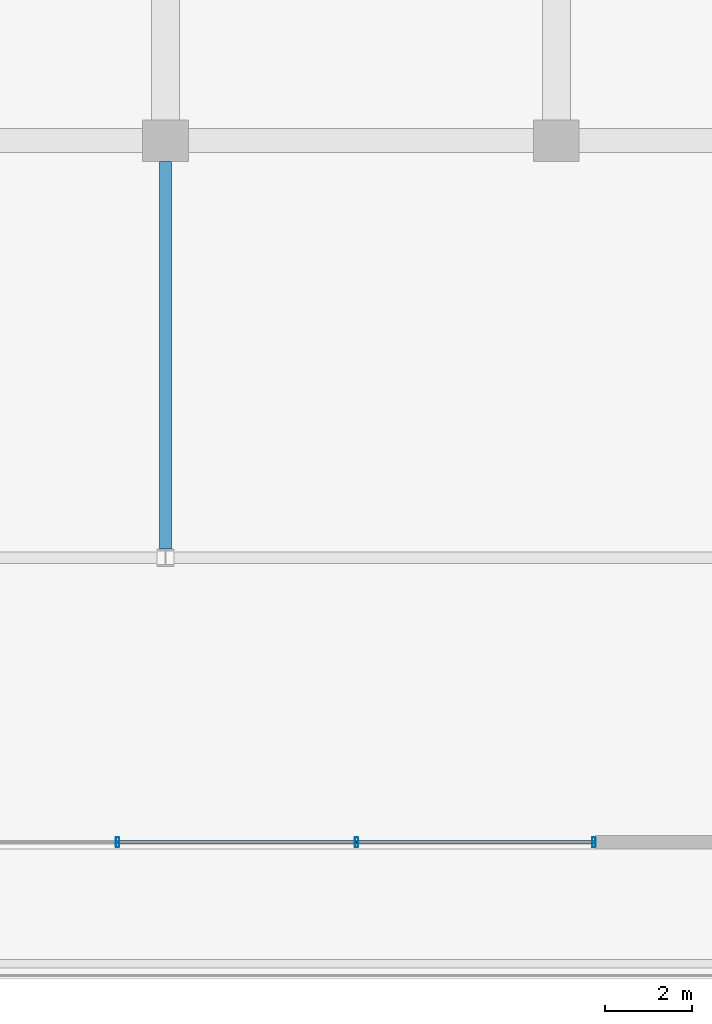
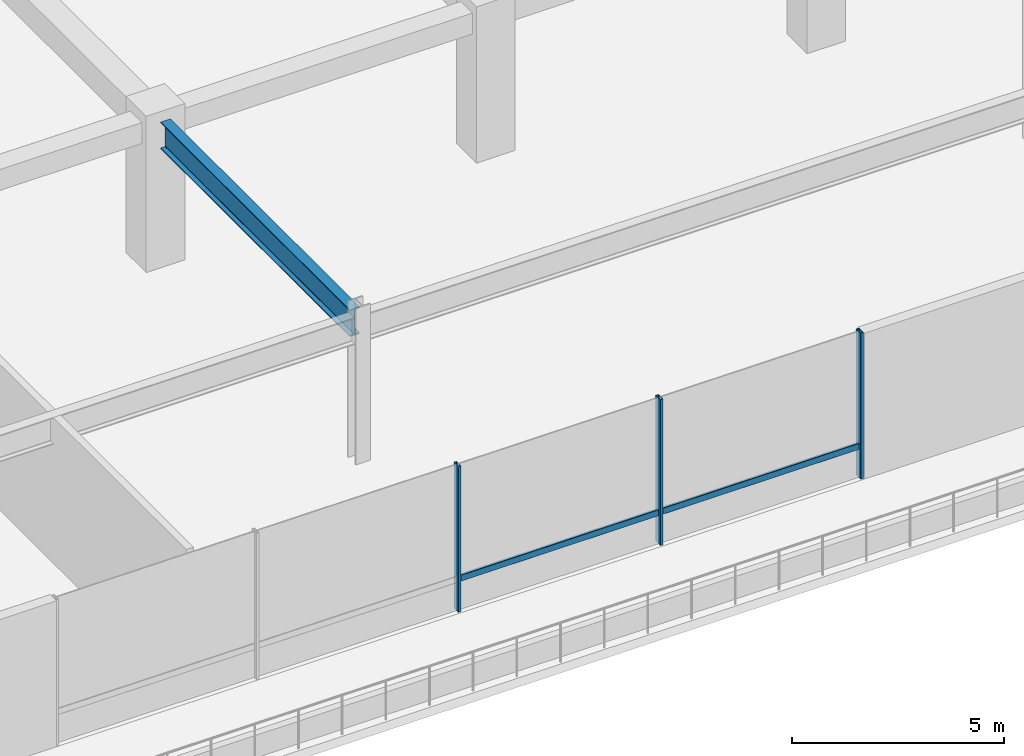
# One storey, part 9 of 43: 5 members, 1 beam, 1 element without a shape of its own.
"""IFC4 building model written with IfcOpenShell, lengths in metres."""

from ifc_helpers import new_model, si_unit, direction, frame, origin, origin_2d, place, context, subcontext, project, spatial, hollow_rectangle, i_section, extrude, material, layer, layer_set, material_profile, profile_set, type_object, element, aggregate, save


model = new_model("IFC4")

# Units and contexts
model_context = context("Model", 3, precision=1e-05, world=origin(), true_north=direction((0.0, 1.0)))
body_context = subcontext(model_context, "Body", "Model", "MODEL_VIEW")
ifc_project = project(units=[si_unit("LENGTHUNIT", "METRE"), si_unit("AREAUNIT", "SQUARE_METRE"), si_unit("VOLUMEUNIT", "CUBIC_METRE"), si_unit("PLANEANGLEUNIT", "RADIAN"), si_unit("MASSUNIT", "GRAM", prefix="KILO")], contexts=[model_context])

# Site, building, storey
site_placement = place(None, origin())
site = spatial("IfcSite", under=ifc_project, at=site_placement, CompositionType="ELEMENT")
building_placement = place(site_placement, origin())
building = spatial("IfcBuilding", under=site, at=building_placement, Name="Korimba Cascade Residences", CompositionType="ELEMENT")
storey_placement = place(building_placement, frame((0.0, 0.0, 10.0)))
storey = spatial("IfcBuildingStorey", under=building, at=storey_placement, Name="L02", CompositionType="ELEMENT", Elevation=10.0)

# Beam
ifc_material_1 = material(Name="Steel S355", Category="steel")
ifc_material_profile_1 = material_profile(ifc_material_1, i_section(OverallWidth=0.26806640625, OverallDepth=0.769775390625, WebThickness=0.015625, FlangeThickness=0.025390625, FilletRadius=0.0166015625, at=origin_2d()), Name="Steel S355")
ifc_profile_set_1 = profile_set([ifc_material_profile_1], Name="Steel S355")
beam_type = type_object("IfcBeamType", Name="BM-STL-UB762", PredefinedType="BEAM", material=ifc_profile_set_1)
beam_placement = place(storey_placement, frame((100.10009765625, -13.603271484375, 3.815185546875), z_axis=(0.0, 1.0, 0.0), x_axis=(-1.0, 0.0, 0.0)))
element("IfcBeam", 1, at=beam_placement, inside=storey, type_object=beam_type, Name="L02 Podium Frame Girder S2", PredefinedType="BEAM", context=body_context, shape_type="SweptSolid", body=[
    extrude(i_section(OverallWidth=0.26806640625, OverallDepth=0.769775390625, WebThickness=0.015625, FlangeThickness=0.025390625, FilletRadius=0.0166015625, at=origin_2d()), origin(), (0.0, 0.0, 1.0), 8.92822265625),
])

# Curtain wall, members
ifc_material_2 = material(Name="Anodised Aluminium Curtain Wall Framing", Category="aluminium")
ifc_layer = layer(ifc_material_2, 0.179931640625)
ifc_layer_set = layer_set([ifc_layer], Name="Anodised Aluminium Curtain Wall Framing")
curtain_wall_type = type_object("IfcCurtainWallType", Name="CW-POD-SYS1", PredefinedType="NOTDEFINED", material=ifc_layer_set)
curtain_wall_placement = place(storey_placement, origin())
curtain_wall = element("IfcCurtainWall", 2, at=curtain_wall_placement, inside=storey, type_object=curtain_wall_type, Name="L02 Curtain Wall CW-L02-POD-S", PredefinedType="NOTDEFINED")
ifc_material_3 = material(Name="Anodised Aluminium Mullion", Category="aluminium")
ifc_material_profile_2 = material_profile(ifc_material_3, hollow_rectangle(XDim=0.080078125, YDim=0.219970703125, WallThickness=0.00634765625, InnerFilletRadius=0.00634765625, OuterFilletRadius=0.0126953125, at=origin_2d()), Name="Anodised Aluminium Mullion")
ifc_profile_set_2 = profile_set([ifc_material_profile_2], Name="Anodised Aluminium Mullion")
member_type_1 = type_object("IfcMemberType", Name="CWM-MUL-220", PredefinedType="MULLION", material=ifc_profile_set_2)
member_1_placement = place(storey_placement, frame((99.0, -20.35009765625, 0.0), z_axis=(0.0, 0.0, 1.0), x_axis=(1.0, 0.0, 0.0)))
member_1 = element("IfcMember", 3, at=member_1_placement, type_object=member_type_1, Name="CW-L02-POD-S Mullion 3", PredefinedType="MULLION", context=body_context, shape_type="SweptSolid", body=[
    extrude(hollow_rectangle(XDim=0.080078125, YDim=0.219970703125, WallThickness=0.00634765625, InnerFilletRadius=0.00634765625, OuterFilletRadius=0.0126953125, at=origin_2d()), origin(), (0.0, 0.0, 1.0), 4.199951171875),
])
member_2_placement = place(storey_placement, frame((104.5, -20.35009765625, 0.0), z_axis=(0.0, 0.0, 1.0), x_axis=(1.0, 0.0, 0.0)))
member_2 = element("IfcMember", 4, at=member_2_placement, type_object=member_type_1, Name="CW-L02-POD-S Mullion 4", PredefinedType="MULLION", context=body_context, shape_type="SweptSolid", body=[
    extrude(hollow_rectangle(XDim=0.080078125, YDim=0.219970703125, WallThickness=0.00634765625, InnerFilletRadius=0.00634765625, OuterFilletRadius=0.0126953125, at=origin_2d()), origin(), (0.0, 0.0, 1.0), 4.199951171875),
])
member_3_placement = place(storey_placement, frame((109.9599609375, -20.35009765625, 0.0), z_axis=(0.0, 0.0, 1.0), x_axis=(1.0, 0.0, 0.0)))
member_3 = element("IfcMember", 5, at=member_3_placement, type_object=member_type_1, Name="CW-L02-POD-S Mullion 5", PredefinedType="MULLION", context=body_context, shape_type="SweptSolid", body=[
    extrude(hollow_rectangle(XDim=0.080078125, YDim=0.219970703125, WallThickness=0.00634765625, InnerFilletRadius=0.00634765625, OuterFilletRadius=0.0126953125, at=origin_2d()), origin(), (0.0, 0.0, 1.0), 4.199951171875),
])
ifc_material_4 = material(Name="Anodised Aluminium Transom", Category="aluminium")
ifc_material_profile_3 = material_profile(ifc_material_4, hollow_rectangle(XDim=0.070068359375, YDim=0.179931640625, WallThickness=0.0048828125, InnerFilletRadius=0.0048828125, OuterFilletRadius=0.010009765625, at=origin_2d()), Name="Anodised Aluminium Transom")
ifc_profile_set_3 = profile_set([ifc_material_profile_3], Name="Anodised Aluminium Transom")
member_type_2 = type_object("IfcMemberType", Name="CWM-TRN-150", PredefinedType="USERDEFINED", material=ifc_profile_set_3)
member_4_placement = place(storey_placement, frame((99.0, -20.35009765625, 0.89990234375), z_axis=(1.0, 0.0, 0.0), x_axis=(0.0, 1.0, 0.0)))
member_4 = element("IfcMember", 6, at=member_4_placement, type_object=member_type_2, Name="CW-L02-POD-S Transom 3", ObjectType="TRANSOM", PredefinedType="USERDEFINED", context=body_context, shape_type="SweptSolid", body=[
    extrude(hollow_rectangle(XDim=0.070068359375, YDim=0.179931640625, WallThickness=0.0048828125, InnerFilletRadius=0.0048828125, OuterFilletRadius=0.010009765625, at=origin_2d()), origin(), (0.0, 0.0, 1.0), 5.5),
])
member_5_placement = place(storey_placement, frame((104.5, -20.35009765625, 0.89990234375), z_axis=(1.0, 0.0, 0.0), x_axis=(0.0, 1.0, 0.0)))
member_5 = element("IfcMember", 7, at=member_5_placement, type_object=member_type_2, Name="CW-L02-POD-S Transom 4", ObjectType="TRANSOM", PredefinedType="USERDEFINED", context=body_context, shape_type="SweptSolid", body=[
    extrude(hollow_rectangle(XDim=0.070068359375, YDim=0.179931640625, WallThickness=0.0048828125, InnerFilletRadius=0.0048828125, OuterFilletRadius=0.010009765625, at=origin_2d()), origin(), (0.0, 0.0, 1.0), 5.4599609375),
])
aggregate(curtain_wall, [member_1, member_2, member_3, member_4, member_5])

save(model, "model.ifc")
